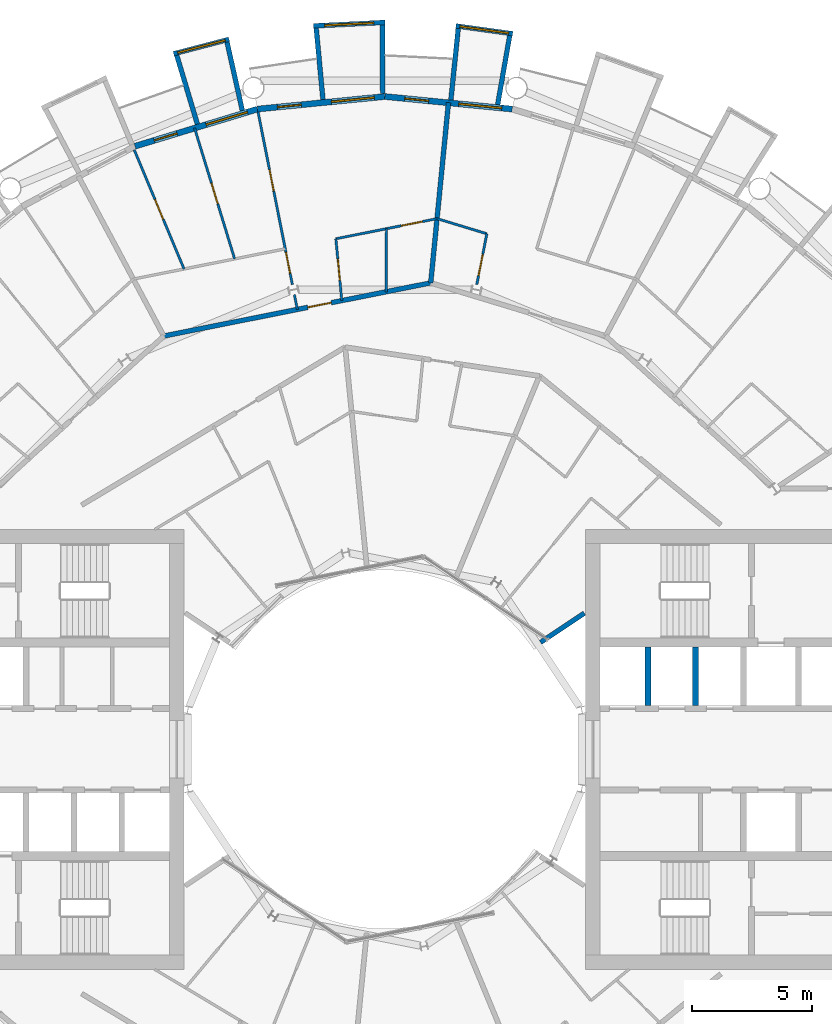
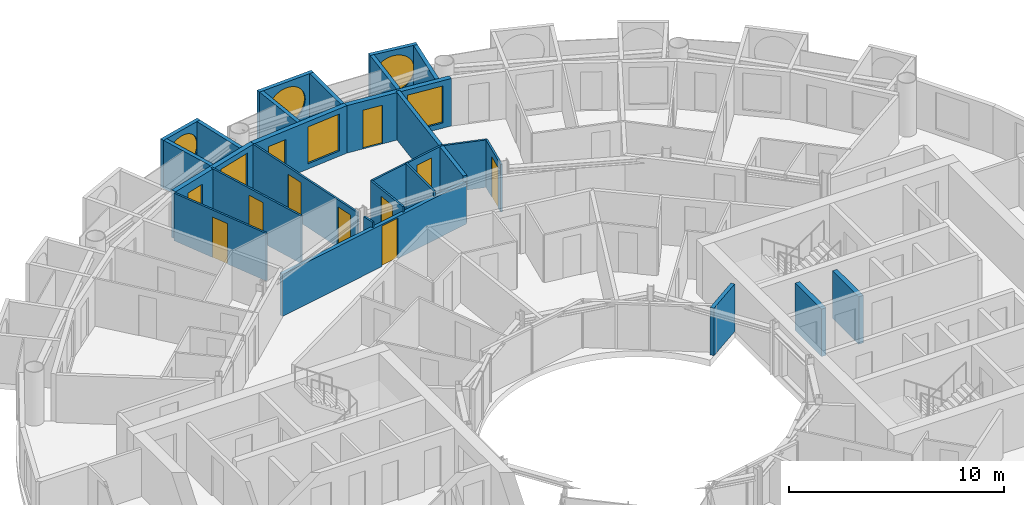
# One storey, part 21 of 28: 26 walls, 11 doors, 6 windows, 17 openings.
"""IFC4 building model written with IfcOpenShell, lengths in metres."""

from ifc_helpers import new_model, si_unit, direction, frame, frame_2d, origin, place, context, subcontext, project, spatial, rectangle, circle, extrude, material, layer, layer_set, type_object, element, fill, save


model = new_model("IFC4")

# Units and contexts
model_context = context("Model", 3, precision=1e-05, world=origin(), true_north=direction((0.0, 1.0)))
body_context = subcontext(model_context, "Body", "Model", "MODEL_VIEW")
ifc_project = project(units=[si_unit("LENGTHUNIT", "METRE"), si_unit("AREAUNIT", "SQUARE_METRE"), si_unit("VOLUMEUNIT", "CUBIC_METRE"), si_unit("PLANEANGLEUNIT", "RADIAN"), si_unit("MASSUNIT", "GRAM", prefix="KILO")], contexts=[model_context])

# Site, building, storey
site_placement = place(None, origin())
site = spatial("IfcSite", under=ifc_project, at=site_placement, CompositionType="ELEMENT")
building_placement = place(site_placement, origin())
building = spatial("IfcBuilding", under=site, at=building_placement, Name="Maasbend Ring Residences", CompositionType="ELEMENT")
storey_placement = place(building_placement, frame((0.0, 0.0, 129.949951171875)))
storey = spatial("IfcBuildingStorey", under=building, at=storey_placement, Name="L37", CompositionType="ELEMENT", Elevation=129.949951171875)

# Wall, opening, door
ifc_material_1 = material(Name="Concrete C30/37", Category="concrete")
ifc_layer_1 = layer(ifc_material_1, 0.199951171875)
ifc_layer_set_1 = layer_set([ifc_layer_1], Name="Concrete C30/37")
wall_type_1 = type_object("IfcWallType", Name="CORRIDOR WALL 200 CONCRETE", PredefinedType="PARTITIONING", material=ifc_layer_set_1)
wall_1_placement = place(storey_placement, frame((-9.239013671875, 17.285888671875, 0.0), z_axis=(0.0, 0.0, 1.0), x_axis=(0.98077905287, 0.195121627328, 0.0)))
wall_1 = element("IfcWall", 1, at=wall_1_placement, inside=storey, type_object=wall_type_1, Name="U-L37-w109", PredefinedType="PARTITIONING", context=body_context, shape_type="SweptSolid", body=[
    extrude(rectangle(XDim=11.378662109375, YDim=0.199951171875, at=frame_2d((5.689453125, 0.0))), origin(), (0.0, 0.0, 1.0), 2.39013671875),
])
opening_1_placement = place(wall_1_placement, frame((6.137939453125, 0.0, 0.0)))
opening_1 = element("IfcOpeningElement", 2, at=opening_1_placement, cuts=wall_1, Name="Opening D-3711", PredefinedType="OPENING", context=body_context, shape_type="SweptSolid", body=[
    extrude(rectangle(XDim=1.0, YDim=2.300048828125, at=frame_2d((0.5, 1.14990234375))), frame((0.0, 0.10986328125, 0.0), z_axis=(0.0, -1.0, 0.0), x_axis=(1.0, 0.0, 0.0)), (0.0, 0.0, 1.0), 0.219970703125),
])
ifc_material_2 = material(Name="Timber, fire-rated, painted", Category="wood")
door_type_1 = type_object("IfcDoorType", Name="FLAT ENTRANCE DOOR 1000 X 2300 FIRE-RATED", OperationType="NOTDEFINED", PredefinedType="DOOR", material=ifc_material_2)
door_1_placement = place(opening_1_placement, origin())
door_1 = element("IfcDoor", 3, at=door_1_placement, inside=storey, type_object=door_type_1, Name="D-3711", OperationType="SINGLE_SWING_RIGHT", OverallHeight=2.300048828125, OverallWidth=1.0, PredefinedType="DOOR", context=body_context, shape_type="SweptSolid", body=[
    extrude(rectangle(XDim=1.0, YDim=2.300048828125, at=frame_2d((0.5, 1.14990234375))), frame((0.0, 0.02490234375, 0.0), z_axis=(0.0, -1.0, 0.0), x_axis=(1.0, 0.0, 0.0)), (0.0, 0.0, 1.0), 0.050048828125),
])
fill(opening_1, door_1)

# Wall, opening, window
ifc_material_3 = material(Name="Pale anodised aluminium panel", Category="aluminium")
ifc_layer_2 = layer(ifc_material_3, 0.199951171875)
ifc_layer_set_2 = layer_set([ifc_layer_2], Name="EW-BOX")
wall_type_2 = type_object("IfcWallType", Name="EW-BOX", PredefinedType="SOLIDWALL", material=ifc_layer_set_2)
wall_2_placement = place(storey_placement, frame((5.344970703125, 29.927001953125, -0.030029296875), z_axis=(0.0, 0.0, 1.0), x_axis=(-0.99061207328, 0.136703036805, 0.0)))
wall_2 = element("IfcWall", 4, at=wall_2_placement, inside=storey, type_object=wall_type_2, Name="Box front N09", PredefinedType="SOLIDWALL", context=body_context, shape_type="SweptSolid", body=[
    extrude(rectangle(XDim=2.391357421875, YDim=0.199951171875, at=frame_2d((1.19580078125, 0.0))), origin(), (0.0, 0.0, 1.0), 2.72998046875),
])
opening_2_placement = place(wall_2_placement, frame((0.15576171875, 0.0, 0.330078125)))
opening_2 = element("IfcOpeningElement", 5, at=opening_2_placement, cuts=wall_2, Name="Opening W-RD", PredefinedType="OPENING", context=body_context, shape_type="SweptSolid", body=[
    extrude(circle(Radius=1.0400390625, at=frame_2d((1.0400390625, 1.0400390625))), frame((0.0, 0.10986328125, 0.0), z_axis=(0.0, -1.0, 0.0), x_axis=(1.0, 0.0, 0.0)), (0.0, 0.0, 1.0), 0.219970703125),
])
ifc_material_4 = material(Name="Aluminium and clear glass", Category="aluminium")
window_type_1 = type_object("IfcWindowType", Name="W-RD", PartitioningType="SINGLE_PANEL", PredefinedType="WINDOW", material=ifc_material_4)
window_1_placement = place(opening_2_placement, origin())
window_1 = element("IfcWindow", 6, at=window_1_placement, inside=storey, type_object=window_type_1, Name="Round window N09", OverallHeight=2.080078125, OverallWidth=2.080078125, PartitioningType="SINGLE_PANEL", PredefinedType="WINDOW", context=body_context, shape_type="SweptSolid", body=[
    extrude(circle(Radius=1.0400390625, at=frame_2d((1.0400390625, 1.0400390625))), frame((0.0, 0.030029296875, 0.0), z_axis=(0.0, -1.0, 0.0), x_axis=(1.0, 0.0, 0.0)), (0.0, 0.0, 1.0), 0.06005859375),
])
fill(opening_2, window_1)

# Walls
wall_3_placement = place(storey_placement, frame((4.719970703125, 26.9609375, -0.030029296875), z_axis=(0.0, 0.0, 1.0), x_axis=(0.172463232037, 0.98501595601, 0.0)))
element("IfcWall", 7, at=wall_3_placement, inside=storey, type_object=wall_type_2, Name="Box side wall N09 left", PredefinedType="SOLIDWALL", context=body_context, shape_type="SweptSolid", body=[
    extrude(rectangle(XDim=2.928955078125, YDim=0.199951171875, at=frame_2d((1.46435546875, 0.0))), origin(), (0.0, 0.0, 1.0), 2.72998046875),
])
wall_4_placement = place(storey_placement, frame((2.763916015625, 27.153076171875, -0.030029296875), z_axis=(0.0, 0.0, 1.0), x_axis=(0.101505487237, 0.994834979311, 0.0)))
element("IfcWall", 8, at=wall_4_placement, inside=storey, type_object=wall_type_2, Name="Box side wall N09 right", PredefinedType="SOLIDWALL", context=body_context, shape_type="SweptSolid", body=[
    extrude(rectangle(XDim=3.006591796875, YDim=0.199951171875, at=frame_2d((1.50341796875, 0.0))), origin(), (0.0, 0.0, 1.0), 2.72998046875),
])

# Wall, opening, window
wall_5_placement = place(storey_placement, frame((0.0048828125, 30.39990234375, -0.030029296875), z_axis=(0.0, 0.0, 1.0), x_axis=(-0.998794083011, -0.049095618353, 0.0)))
wall_5 = element("IfcWall", 9, at=wall_5_placement, inside=storey, type_object=wall_type_2, Name="Box front N11", PredefinedType="SOLIDWALL", context=body_context, shape_type="SweptSolid", body=[
    extrude(rectangle(XDim=2.99365234375, YDim=0.199951171875, at=frame_2d((1.496826171875, 0.0))), origin(), (0.0, 0.0, 1.0), 2.72998046875),
])
opening_3_placement = place(wall_5_placement, frame((0.45654296875, 0.0, 0.330078125)))
opening_3 = element("IfcOpeningElement", 10, at=opening_3_placement, cuts=wall_5, Name="Opening W-RD", PredefinedType="OPENING", context=body_context, shape_type="SweptSolid", body=[
    extrude(circle(Radius=1.0400390625, at=frame_2d((1.0400390625, 1.0400390625))), frame((0.0, 0.10986328125, 0.0), z_axis=(0.0, -1.0, 0.0), x_axis=(1.0, 0.0, 0.0)), (0.0, 0.0, 1.0), 0.219970703125),
])
window_2_placement = place(opening_3_placement, origin())
window_2 = element("IfcWindow", 11, at=window_2_placement, inside=storey, type_object=window_type_1, Name="Round window N11", OverallHeight=2.080078125, OverallWidth=2.080078125, PartitioningType="SINGLE_PANEL", PredefinedType="WINDOW", context=body_context, shape_type="SweptSolid", body=[
    extrude(circle(Radius=1.0400390625, at=frame_2d((1.0400390625, 1.0400390625))), frame((0.0, 0.030029296875, 0.0), z_axis=(0.0, -1.0, 0.0), x_axis=(1.0, 0.0, 0.0)), (0.0, 0.0, 1.0), 0.06005859375),
])
fill(opening_3, window_2)

# Walls
wall_6_placement = place(storey_placement, frame((-0.090087890625, 27.4169921875, -0.030029296875), z_axis=(0.0, 0.0, 1.0), x_axis=(-0.00347308367, 0.999993968827, 0.0)))
element("IfcWall", 12, at=wall_6_placement, inside=storey, type_object=wall_type_2, Name="Box side wall N11 left", PredefinedType="SOLIDWALL", context=body_context, shape_type="SweptSolid", body=[
    extrude(rectangle(XDim=2.882080078125, YDim=0.199951171875, at=frame_2d((1.44091796875, 0.0))), origin(), (0.0, 0.0, 1.0), 2.72998046875),
])
wall_7_placement = place(storey_placement, frame((-2.5859375, 27.1708984375, -0.030029296875), z_axis=(0.0, 0.0, 1.0), x_axis=(-0.094548432284, 0.995520262954, 0.0)))
element("IfcWall", 13, at=wall_7_placement, inside=storey, type_object=wall_type_2, Name="Box side wall N11 right", PredefinedType="SOLIDWALL", context=body_context, shape_type="SweptSolid", body=[
    extrude(rectangle(XDim=3.005615234375, YDim=0.199951171875, at=frame_2d((1.5029296875, 0.0))), origin(), (0.0, 0.0, 1.0), 2.72998046875),
])

# Wall, opening, window
wall_8_placement = place(storey_placement, frame((-6.514892578125, 29.694091796875, -0.030029296875), z_axis=(0.0, 0.0, 1.0), x_axis=(-0.967554339146, -0.252663018266, 0.0)))
wall_8 = element("IfcWall", 14, at=wall_8_placement, inside=storey, type_object=wall_type_2, Name="Box front N13", PredefinedType="SOLIDWALL", context=body_context, shape_type="SweptSolid", body=[
    extrude(rectangle(XDim=2.390625, YDim=0.199951171875, at=frame_2d((1.1953125, 0.0))), origin(), (0.0, 0.0, 1.0), 2.72998046875),
])
opening_4_placement = place(wall_8_placement, frame((0.15576171875, 0.0, 0.330078125)))
opening_4 = element("IfcOpeningElement", 15, at=opening_4_placement, cuts=wall_8, Name="Opening W-RD", PredefinedType="OPENING", context=body_context, shape_type="SweptSolid", body=[
    extrude(circle(Radius=1.0400390625, at=frame_2d((1.0400390625, 1.0400390625))), frame((0.0, 0.10986328125, 0.0), z_axis=(0.0, -1.0, 0.0), x_axis=(1.0, 0.0, 0.0)), (0.0, 0.0, 1.0), 0.219970703125),
])
window_3_placement = place(opening_4_placement, origin())
window_3 = element("IfcWindow", 16, at=window_3_placement, inside=storey, type_object=window_type_1, Name="Round window N13", OverallHeight=2.080078125, OverallWidth=2.080078125, PartitioningType="SINGLE_PANEL", PredefinedType="WINDOW", context=body_context, shape_type="SweptSolid", body=[
    extrude(circle(Radius=1.0400390625, at=frame_2d((1.0400390625, 1.0400390625))), frame((0.0, 0.030029296875, 0.0), z_axis=(0.0, -1.0, 0.0), x_axis=(1.0, 0.0, 0.0)), (0.0, 0.0, 1.0), 0.06005859375),
])
fill(opening_4, window_3)

# Walls
wall_9_placement = place(storey_placement, frame((-5.95703125, 26.715087890625, -0.030029296875), z_axis=(0.0, 0.0, 1.0), x_axis=(-0.217857287091, 0.975980636315, 0.0)))
element("IfcWall", 17, at=wall_9_placement, inside=storey, type_object=wall_type_2, Name="Box side wall N13 left", PredefinedType="SOLIDWALL", context=body_context, shape_type="SweptSolid", body=[
    extrude(rectangle(XDim=2.92822265625, YDim=0.199951171875, at=frame_2d((1.464111328125, 0.0))), origin(), (0.0, 0.0, 1.0), 2.72998046875),
])
wall_10_placement = place(storey_placement, frame((-7.8369140625, 26.14404296875, -0.030029296875), z_axis=(0.0, 0.0, 1.0), x_axis=(-0.287064767992, 0.957911174889, 0.0)))
element("IfcWall", 18, at=wall_10_placement, inside=storey, type_object=wall_type_2, Name="Box side wall N13 right", PredefinedType="SOLIDWALL", context=body_context, shape_type="SweptSolid", body=[
    extrude(rectangle(XDim=3.00634765625, YDim=0.199951171875, at=frame_2d((1.503173828125, 0.0))), origin(), (0.0, 0.0, 1.0), 2.72998046875),
])

# Wall, openings, door, window
ifc_material_5 = material(Name="Aluminium clad insulated panel", Category="aluminium")
ifc_layer_3 = layer(ifc_material_5, 0.25)
ifc_layer_set_3 = layer_set([ifc_layer_3], Name="EW-GL")
wall_type_3 = type_object("IfcWallType", Name="EW-GL", PredefinedType="SOLIDWALL", material=ifc_layer_set_3)
wall_11_placement = place(storey_placement, frame((5.325927734375, 26.77490234375, 0.0), z_axis=(0.0, 0.0, 1.0), x_axis=(-0.995173996315, 0.098126026407, 0.0)))
wall_11 = element("IfcWall", 19, at=wall_11_placement, inside=storey, type_object=wall_type_3, Name="External wall N05", PredefinedType="SOLIDWALL", context=body_context, shape_type="SweptSolid", body=[
    extrude(rectangle(XDim=5.351806640625, YDim=0.25, at=frame_2d((2.67578125, 0.0))), origin(), (0.0, 0.0, 1.0), 2.699951171875),
])
opening_5_placement = place(wall_11_placement, frame((0.441162109375, 0.0, 0.300048828125)))
opening_5 = element("IfcOpeningElement", 20, at=opening_5_placement, cuts=wall_11, Name="Opening W-BX", PredefinedType="OPENING", context=body_context, shape_type="SweptSolid", body=[
    extrude(rectangle(XDim=1.800048828125, YDim=2.10009765625, at=frame_2d((0.89990234375, 1.050048828125))), frame((0.0, 0.135009765625, 0.0), z_axis=(0.0, -1.0, 0.0), x_axis=(1.0, 0.0, 0.0)), (0.0, 0.0, 1.0), 0.27001953125),
])
opening_6_placement = place(wall_11_placement, frame((3.510498046875, 0.0, 0.0)))
opening_6 = element("IfcOpeningElement", 21, at=opening_6_placement, cuts=wall_11, Name="Opening D-LG", PredefinedType="OPENING", context=body_context, shape_type="SweptSolid", body=[
    extrude(rectangle(XDim=1.0, YDim=2.199951171875, at=frame_2d((0.5, 1.10009765625))), frame((0.0, 0.135009765625, 0.0), z_axis=(0.0, -1.0, 0.0), x_axis=(1.0, 0.0, 0.0)), (0.0, 0.0, 1.0), 0.27001953125),
])
ifc_material_6 = material(Name="Aluminium and clear glass", Category="aluminium")
door_type_2 = type_object("IfcDoorType", Name="D-LG", OperationType="SINGLE_SWING_LEFT", PredefinedType="DOOR", material=ifc_material_6)
door_2_placement = place(opening_6_placement, origin())
door_2 = element("IfcDoor", 22, at=door_2_placement, inside=storey, type_object=door_type_2, Name="Loggia door N10", OperationType="SINGLE_SWING_LEFT", OverallHeight=2.199951171875, OverallWidth=1.0, PredefinedType="DOOR", context=body_context, shape_type="SweptSolid", body=[
    extrude(rectangle(XDim=1.0, YDim=2.199951171875, at=frame_2d((0.5, 1.10009765625))), frame((0.0, 0.02490234375, 0.0), z_axis=(0.0, -1.0, 0.0), x_axis=(1.0, 0.0, 0.0)), (0.0, 0.0, 1.0), 0.050048828125),
])
fill(opening_6, door_2)
ifc_material_7 = material(Name="Aluminium and clear glass", Category="aluminium")
window_type_2 = type_object("IfcWindowType", Name="W-BX", PartitioningType="DOUBLE_PANEL_VERTICAL", PredefinedType="WINDOW", material=ifc_material_7)
window_4_placement = place(opening_5_placement, origin())
window_4 = element("IfcWindow", 23, at=window_4_placement, inside=storey, type_object=window_type_2, Name="Window N09 room to box", OverallHeight=2.10009765625, OverallWidth=1.800048828125, PartitioningType="SINGLE_PANEL", PredefinedType="WINDOW", context=body_context, shape_type="SweptSolid", body=[
    extrude(rectangle(XDim=1.800048828125, YDim=2.10009765625, at=frame_2d((0.89990234375, 1.050048828125))), frame((0.0, 0.030029296875, 0.0), z_axis=(0.0, -1.0, 0.0), x_axis=(1.0, 0.0, 0.0)), (0.0, 0.0, 1.0), 0.06005859375),
])
fill(opening_5, window_4)

wall_12_placement = place(storey_placement, frame((0.0, 27.300048828125, 0.0), z_axis=(0.0, 0.0, 1.0), x_axis=(-0.995173996315, -0.098126026407, 0.0)))
wall_12 = element("IfcWall", 24, at=wall_12_placement, inside=storey, type_object=wall_type_3, Name="External wall N06", PredefinedType="SOLIDWALL", context=body_context, shape_type="SweptSolid", body=[
    extrude(rectangle(XDim=5.351806640625, YDim=0.25, at=frame_2d((2.67578125, 0.0))), origin(), (0.0, 0.0, 1.0), 2.699951171875),
])
opening_7_placement = place(wall_12_placement, frame((0.441162109375, 0.0, 0.300048828125)))
opening_7 = element("IfcOpeningElement", 25, at=opening_7_placement, cuts=wall_12, Name="Opening W-BX", PredefinedType="OPENING", context=body_context, shape_type="SweptSolid", body=[
    extrude(rectangle(XDim=1.800048828125, YDim=2.10009765625, at=frame_2d((0.89990234375, 1.050048828125))), frame((0.0, 0.135009765625, 0.0), z_axis=(0.0, -1.0, 0.0), x_axis=(1.0, 0.0, 0.0)), (0.0, 0.0, 1.0), 0.27001953125),
])
opening_8_placement = place(wall_12_placement, frame((3.510498046875, 0.0, 0.0)))
opening_8 = element("IfcOpeningElement", 26, at=opening_8_placement, cuts=wall_12, Name="Opening D-LG", PredefinedType="OPENING", context=body_context, shape_type="SweptSolid", body=[
    extrude(rectangle(XDim=1.0, YDim=2.199951171875, at=frame_2d((0.5, 1.10009765625))), frame((0.0, 0.135009765625, 0.0), z_axis=(0.0, -1.0, 0.0), x_axis=(1.0, 0.0, 0.0)), (0.0, 0.0, 1.0), 0.27001953125),
])
door_3_placement = place(opening_8_placement, origin())
door_3 = element("IfcDoor", 27, at=door_3_placement, inside=storey, type_object=door_type_2, Name="Loggia door N12", OperationType="SINGLE_SWING_LEFT", OverallHeight=2.199951171875, OverallWidth=1.0, PredefinedType="DOOR", context=body_context, shape_type="SweptSolid", body=[
    extrude(rectangle(XDim=1.0, YDim=2.199951171875, at=frame_2d((0.5, 1.10009765625))), frame((0.0, 0.02490234375, 0.0), z_axis=(0.0, -1.0, 0.0), x_axis=(1.0, 0.0, 0.0)), (0.0, 0.0, 1.0), 0.050048828125),
])
fill(opening_8, door_3)
window_5_placement = place(opening_7_placement, origin())
window_5 = element("IfcWindow", 28, at=window_5_placement, inside=storey, type_object=window_type_2, Name="Window N11 room to box", OverallHeight=2.10009765625, OverallWidth=1.800048828125, PartitioningType="SINGLE_PANEL", PredefinedType="WINDOW", context=body_context, shape_type="SweptSolid", body=[
    extrude(rectangle(XDim=1.800048828125, YDim=2.10009765625, at=frame_2d((0.89990234375, 1.050048828125))), frame((0.0, 0.030029296875, 0.0), z_axis=(0.0, -1.0, 0.0), x_axis=(1.0, 0.0, 0.0)), (0.0, 0.0, 1.0), 0.06005859375),
])
fill(opening_7, window_5)

wall_13_placement = place(storey_placement, frame((-5.325927734375, 26.77490234375, 0.0), z_axis=(0.0, 0.0, 1.0), x_axis=(-0.956965678721, -0.290201119486, 0.0)))
wall_13 = element("IfcWall", 29, at=wall_13_placement, inside=storey, type_object=wall_type_3, Name="External wall N07", PredefinedType="SOLIDWALL", context=body_context, shape_type="SweptSolid", body=[
    extrude(rectangle(XDim=5.351318359375, YDim=0.25, at=frame_2d((2.67578125, 0.0))), origin(), (0.0, 0.0, 1.0), 2.699951171875),
])
opening_9_placement = place(wall_13_placement, frame((0.441162109375, 0.0, 0.300048828125)))
opening_9 = element("IfcOpeningElement", 30, at=opening_9_placement, cuts=wall_13, Name="Opening W-BX", PredefinedType="OPENING", context=body_context, shape_type="SweptSolid", body=[
    extrude(rectangle(XDim=1.800048828125, YDim=2.10009765625, at=frame_2d((0.89990234375, 1.050048828125))), frame((0.0, 0.135009765625, 0.0), z_axis=(0.0, -1.0, 0.0), x_axis=(1.0, 0.0, 0.0)), (0.0, 0.0, 1.0), 0.27001953125),
])
opening_10_placement = place(wall_13_placement, frame((3.510498046875, 0.0, 0.0)))
opening_10 = element("IfcOpeningElement", 31, at=opening_10_placement, cuts=wall_13, Name="Opening D-LG", PredefinedType="OPENING", context=body_context, shape_type="SweptSolid", body=[
    extrude(rectangle(XDim=1.0, YDim=2.199951171875, at=frame_2d((0.5, 1.10009765625))), frame((0.0, 0.135009765625, 0.0), z_axis=(0.0, -1.0, 0.0), x_axis=(1.0, 0.0, 0.0)), (0.0, 0.0, 1.0), 0.27001953125),
])
door_4_placement = place(opening_10_placement, origin())
door_4 = element("IfcDoor", 32, at=door_4_placement, inside=storey, type_object=door_type_2, Name="Loggia door N14", OperationType="SINGLE_SWING_LEFT", OverallHeight=2.199951171875, OverallWidth=1.0, PredefinedType="DOOR", context=body_context, shape_type="SweptSolid", body=[
    extrude(rectangle(XDim=1.0, YDim=2.199951171875, at=frame_2d((0.5, 1.10009765625))), frame((0.0, 0.02490234375, 0.0), z_axis=(0.0, -1.0, 0.0), x_axis=(1.0, 0.0, 0.0)), (0.0, 0.0, 1.0), 0.050048828125),
])
fill(opening_10, door_4)
window_6_placement = place(opening_9_placement, origin())
window_6 = element("IfcWindow", 33, at=window_6_placement, inside=storey, type_object=window_type_2, Name="Window N13 room to box", OverallHeight=2.10009765625, OverallWidth=1.800048828125, PartitioningType="SINGLE_PANEL", PredefinedType="WINDOW", context=body_context, shape_type="SweptSolid", body=[
    extrude(rectangle(XDim=1.800048828125, YDim=2.10009765625, at=frame_2d((0.89990234375, 1.050048828125))), frame((0.0, 0.030029296875, 0.0), z_axis=(0.0, -1.0, 0.0), x_axis=(1.0, 0.0, 0.0)), (0.0, 0.0, 1.0), 0.06005859375),
])
fill(opening_9, window_6)

# Wall, opening, door
ifc_material_8 = material(Name="Gypsum board on steel studs", Category="steel")
ifc_layer_4 = layer(ifc_material_8, 0.10009765625)
ifc_layer_set_4 = layer_set([ifc_layer_4], Name="PARTITION 100 GYPSUM")
wall_type_4 = type_object("IfcWallType", Name="PARTITION 100 GYPSUM", PredefinedType="PARTITIONING", material=ifc_layer_set_4)
wall_14_placement = place(storey_placement, frame((-10.47900390625, 25.072998046875, 0.0), z_axis=(0.0, 0.0, 1.0), x_axis=(0.385542476694, -0.922690088093, 0.0)))
wall_14 = element("IfcWall", 34, at=wall_14_placement, inside=storey, type_object=wall_type_4, Name="U-L37-w041", PredefinedType="PARTITIONING", context=body_context, shape_type="SweptSolid", body=[
    extrude(rectangle(XDim=5.40283203125, YDim=0.10009765625, at=frame_2d((2.701416015625, 0.0))), origin(), (0.0, 0.0, 1.0), 2.699951171875),
])
opening_11_placement = place(wall_14_placement, frame((2.2509765625, 0.0, 0.0)))
opening_11 = element("IfcOpeningElement", 35, at=opening_11_placement, cuts=wall_14, Name="Opening D-3717", PredefinedType="OPENING", context=body_context, shape_type="SweptSolid", body=[
    extrude(rectangle(XDim=0.89990234375, YDim=2.300048828125, at=frame_2d((0.449951171875, 1.14990234375))), frame((0.0, 0.06005859375, 0.0), z_axis=(0.0, -1.0, 0.0), x_axis=(1.0, 0.0, 0.0)), (0.0, 0.0, 1.0), 0.1201171875),
])
ifc_material_9 = material(Name="Timber, painted", Category="wood")
door_type_3 = type_object("IfcDoorType", Name="INTERNAL DOOR 900 X 2300", OperationType="NOTDEFINED", PredefinedType="DOOR", material=ifc_material_9)
door_5_placement = place(opening_11_placement, origin())
door_5 = element("IfcDoor", 36, at=door_5_placement, inside=storey, type_object=door_type_3, Name="D-3717", OperationType="SINGLE_SWING_RIGHT", OverallHeight=2.300048828125, OverallWidth=0.89990234375, PredefinedType="DOOR", context=body_context, shape_type="SweptSolid", body=[
    extrude(rectangle(XDim=0.89990234375, YDim=2.300048828125, at=frame_2d((0.449951171875, 1.14990234375))), frame((0.0, 0.02490234375, 0.0), z_axis=(0.0, -1.0, 0.0), x_axis=(1.0, 0.0, 0.0)), (0.0, 0.0, 1.0), 0.050048828125),
])
fill(opening_11, door_5)

wall_15_placement = place(storey_placement, frame((-7.9560546875, 25.98388671875, 0.0), z_axis=(0.0, 0.0, 1.0), x_axis=(0.292722228482, -0.956197519842, 0.0)))
wall_15 = element("IfcWall", 37, at=wall_15_placement, inside=storey, type_object=wall_type_4, Name="U-L37-w046", PredefinedType="PARTITIONING", context=body_context, shape_type="SweptSolid", body=[
    extrude(rectangle(XDim=5.7255859375, YDim=0.10009765625, at=frame_2d((2.86279296875, 0.0))), origin(), (0.0, 0.0, 1.0), 2.699951171875),
])
opening_12_placement = place(wall_15_placement, frame((2.4130859375, 0.0, 0.0)))
opening_12 = element("IfcOpeningElement", 38, at=opening_12_placement, cuts=wall_15, Name="Opening D-3716", PredefinedType="OPENING", context=body_context, shape_type="SweptSolid", body=[
    extrude(rectangle(XDim=0.89990234375, YDim=2.300048828125, at=frame_2d((0.449951171875, 1.14990234375))), frame((0.0, 0.06005859375, 0.0), z_axis=(0.0, -1.0, 0.0), x_axis=(1.0, 0.0, 0.0)), (0.0, 0.0, 1.0), 0.1201171875),
])
door_6_placement = place(opening_12_placement, origin())
door_6 = element("IfcDoor", 39, at=door_6_placement, inside=storey, type_object=door_type_3, Name="D-3716", OperationType="SINGLE_SWING_RIGHT", OverallHeight=2.300048828125, OverallWidth=0.89990234375, PredefinedType="DOOR", context=body_context, shape_type="SweptSolid", body=[
    extrude(rectangle(XDim=0.89990234375, YDim=2.300048828125, at=frame_2d((0.449951171875, 1.14990234375))), frame((0.0, 0.02490234375, 0.0), z_axis=(0.0, -1.0, 0.0), x_axis=(1.0, 0.0, 0.0)), (0.0, 0.0, 1.0), 0.050048828125),
])
fill(opening_12, door_6)

# Wall, openings, doors
wall_16_placement = place(storey_placement, frame((-5.301025390625, 26.653076171875, 0.0), z_axis=(0.0, 0.0, 1.0), x_axis=(0.194999559373, -0.98080332985, 0.0)))
wall_16 = element("IfcWall", 40, at=wall_16_placement, inside=storey, type_object=wall_type_4, Name="U-L37-w051", PredefinedType="PARTITIONING", context=body_context, shape_type="SweptSolid", body=[
    extrude(rectangle(XDim=7.359375, YDim=0.10009765625, at=frame_2d((3.6796875, 0.0))), origin(), (0.0, 0.0, 1.0), 2.699951171875),
])
opening_13_placement = place(wall_16_placement, frame((5.985107421875, 0.0, 0.0)))
opening_13 = element("IfcOpeningElement", 41, at=opening_13_placement, cuts=wall_16, Name="Opening D-3714", PredefinedType="OPENING", context=body_context, shape_type="SweptSolid", body=[
    extrude(rectangle(XDim=0.89990234375, YDim=2.300048828125, at=frame_2d((0.449951171875, 1.14990234375))), frame((0.0, 0.06005859375, 0.0), z_axis=(0.0, -1.0, 0.0), x_axis=(1.0, 0.0, 0.0)), (0.0, 0.0, 1.0), 0.1201171875),
])
opening_14_placement = place(wall_16_placement, frame((2.467041015625, 0.0, 0.0)))
opening_14 = element("IfcOpeningElement", 42, at=opening_14_placement, cuts=wall_16, Name="Opening D-3715", PredefinedType="OPENING", context=body_context, shape_type="SweptSolid", body=[
    extrude(rectangle(XDim=0.89990234375, YDim=2.300048828125, at=frame_2d((0.449951171875, 1.14990234375))), frame((0.0, 0.06005859375, 0.0), z_axis=(0.0, -1.0, 0.0), x_axis=(1.0, 0.0, 0.0)), (0.0, 0.0, 1.0), 0.1201171875),
])
door_7_placement = place(opening_13_placement, origin())
door_7 = element("IfcDoor", 43, at=door_7_placement, inside=storey, type_object=door_type_3, Name="D-3714", OperationType="SINGLE_SWING_RIGHT", OverallHeight=2.300048828125, OverallWidth=0.89990234375, PredefinedType="DOOR", context=body_context, shape_type="SweptSolid", body=[
    extrude(rectangle(XDim=0.89990234375, YDim=2.300048828125, at=frame_2d((0.449951171875, 1.14990234375))), frame((0.0, 0.02490234375, 0.0), z_axis=(0.0, -1.0, 0.0), x_axis=(1.0, 0.0, 0.0)), (0.0, 0.0, 1.0), 0.050048828125),
])
fill(opening_13, door_7)
door_8_placement = place(opening_14_placement, origin())
door_8 = element("IfcDoor", 44, at=door_8_placement, inside=storey, type_object=door_type_3, Name="D-3715", OperationType="SINGLE_SWING_LEFT", OverallHeight=2.300048828125, OverallWidth=0.89990234375, PredefinedType="DOOR", context=body_context, shape_type="SweptSolid", body=[
    extrude(rectangle(XDim=0.89990234375, YDim=2.300048828125, at=frame_2d((0.449951171875, 1.14990234375))), frame((0.0, 0.02490234375, 0.0), z_axis=(0.0, -1.0, 0.0), x_axis=(1.0, 0.0, 0.0)), (0.0, 0.0, 1.0), 0.050048828125),
])
fill(opening_14, door_8)

# Wall
wall_17_placement = place(storey_placement, frame((-3.781005859375, 19.011962890625, 0.0), z_axis=(0.0, 0.0, 1.0), x_axis=(0.194396175087, -0.980923099489, 0.0)))
element("IfcWall", 45, at=wall_17_placement, inside=storey, type_object=wall_type_4, Name="U-L37-w057", PredefinedType="PARTITIONING", context=body_context, shape_type="SweptSolid", body=[
    extrude(rectangle(XDim=0.6279296875, YDim=0.10009765625, at=frame_2d((0.31396484375, 0.0))), origin(), (0.0, 0.0, 1.0), 2.699951171875),
])

# Wall, opening, door
wall_18_placement = place(storey_placement, frame((-2.047119140625, 21.35107421875, 0.0), z_axis=(0.0, 0.0, 1.0), x_axis=(0.095518932305, -0.995427613426, 0.0)))
wall_18 = element("IfcWall", 46, at=wall_18_placement, inside=storey, type_object=wall_type_4, Name="U-L37-w059", PredefinedType="PARTITIONING", context=body_context, shape_type="SweptSolid", body=[
    extrude(rectangle(XDim=2.596923828125, YDim=0.10009765625, at=frame_2d((1.29833984375, 0.0))), origin(), (0.0, 0.0, 1.0), 2.699951171875),
])
opening_15_placement = place(wall_18_placement, frame((0.847900390625, 0.0, 0.0)))
opening_15 = element("IfcOpeningElement", 47, at=opening_15_placement, cuts=wall_18, Name="Opening D-3713", PredefinedType="OPENING", context=body_context, shape_type="SweptSolid", body=[
    extrude(rectangle(XDim=0.89990234375, YDim=2.300048828125, at=frame_2d((0.449951171875, 1.14990234375))), frame((0.0, 0.06005859375, 0.0), z_axis=(0.0, -1.0, 0.0), x_axis=(1.0, 0.0, 0.0)), (0.0, 0.0, 1.0), 0.1201171875),
])
door_9_placement = place(opening_15_placement, origin())
door_9 = element("IfcDoor", 48, at=door_9_placement, inside=storey, type_object=door_type_3, Name="D-3713", OperationType="SINGLE_SWING_RIGHT", OverallHeight=2.300048828125, OverallWidth=0.89990234375, PredefinedType="DOOR", context=body_context, shape_type="SweptSolid", body=[
    extrude(rectangle(XDim=0.89990234375, YDim=2.300048828125, at=frame_2d((0.449951171875, 1.14990234375))), frame((0.0, 0.02490234375, 0.0), z_axis=(0.0, -1.0, 0.0), x_axis=(1.0, 0.0, 0.0)), (0.0, 0.0, 1.0), 0.050048828125),
])
fill(opening_15, door_9)

# Wall
wall_19_placement = place(storey_placement, frame((0.06103515625, 19.135986328125, 0.0), z_axis=(0.0, 0.0, 1.0), x_axis=(0.003056390281, 0.999995329228, 0.0)))
element("IfcWall", 49, at=wall_19_placement, inside=storey, type_object=wall_type_4, Name="U-L37-w063", PredefinedType="PARTITIONING", context=body_context, shape_type="SweptSolid", body=[
    extrude(rectangle(XDim=2.635986328125, YDim=0.10009765625, at=frame_2d((1.31787109375, 0.0))), origin(), (0.0, 0.0, 1.0), 2.699951171875),
])

# Wall, opening, door
wall_20_placement = place(storey_placement, frame((3.846923828125, 19.43896484375, 0.0), z_axis=(0.0, 0.0, 1.0), x_axis=(0.194227580483, 0.980956495967, 0.0)))
wall_20 = element("IfcWall", 50, at=wall_20_placement, inside=storey, type_object=wall_type_4, Name="U-L37-w073", PredefinedType="PARTITIONING", context=body_context, shape_type="SweptSolid", body=[
    extrude(rectangle(XDim=2.163330078125, YDim=0.10009765625, at=frame_2d((1.08154296875, 0.0))), origin(), (0.0, 0.0, 1.0), 2.699951171875),
])
opening_16_placement = place(wall_20_placement, frame((0.383056640625, 0.0, 0.0)))
opening_16 = element("IfcOpeningElement", 51, at=opening_16_placement, cuts=wall_20, Name="Opening D-3708", PredefinedType="OPENING", context=body_context, shape_type="SweptSolid", body=[
    extrude(rectangle(XDim=0.89990234375, YDim=2.300048828125, at=frame_2d((0.449951171875, 1.14990234375))), frame((0.0, 0.06005859375, 0.0), z_axis=(0.0, -1.0, 0.0), x_axis=(1.0, 0.0, 0.0)), (0.0, 0.0, 1.0), 0.1201171875),
])
door_10_placement = place(opening_16_placement, origin())
door_10 = element("IfcDoor", 52, at=door_10_placement, inside=storey, type_object=door_type_3, Name="D-3708", OperationType="SINGLE_SWING_LEFT", OverallHeight=2.300048828125, OverallWidth=0.89990234375, PredefinedType="DOOR", context=body_context, shape_type="SweptSolid", body=[
    extrude(rectangle(XDim=0.89990234375, YDim=2.300048828125, at=frame_2d((0.449951171875, 1.14990234375))), frame((0.0, 0.02490234375, 0.0), z_axis=(0.0, -1.0, 0.0), x_axis=(1.0, 0.0, 0.0)), (0.0, 0.0, 1.0), 0.050048828125),
])
fill(opening_16, door_10)

wall_21_placement = place(storey_placement, frame((-2.048095703125, 21.35107421875, 0.0), z_axis=(0.0, 0.0, 1.0), x_axis=(0.980784647647, 0.19509350307, 0.0)))
wall_21 = element("IfcWall", 53, at=wall_21_placement, inside=storey, type_object=wall_type_4, Name="U-L37-w118", PredefinedType="PARTITIONING", context=body_context, shape_type="SweptSolid", body=[
    extrude(rectangle(XDim=4.316162109375, YDim=0.10009765625, at=frame_2d((2.158203125, 0.0))), origin(), (0.0, 0.0, 1.0), 2.699951171875),
])
opening_17_placement = place(wall_21_placement, frame((2.7880859375, 0.0, 0.0)))
opening_17 = element("IfcOpeningElement", 54, at=opening_17_placement, cuts=wall_21, Name="Opening D-3712", PredefinedType="OPENING", context=body_context, shape_type="SweptSolid", body=[
    extrude(rectangle(XDim=0.89990234375, YDim=2.300048828125, at=frame_2d((0.449951171875, 1.14990234375))), frame((0.0, 0.06005859375, 0.0), z_axis=(0.0, -1.0, 0.0), x_axis=(1.0, 0.0, 0.0)), (0.0, 0.0, 1.0), 0.1201171875),
])
door_11_placement = place(opening_17_placement, origin())
door_11 = element("IfcDoor", 55, at=door_11_placement, inside=storey, type_object=door_type_3, Name="D-3712", OperationType="SINGLE_SWING_RIGHT", OverallHeight=2.300048828125, OverallWidth=0.89990234375, PredefinedType="DOOR", context=body_context, shape_type="SweptSolid", body=[
    extrude(rectangle(XDim=0.89990234375, YDim=2.300048828125, at=frame_2d((0.449951171875, 1.14990234375))), frame((0.0, 0.02490234375, 0.0), z_axis=(0.0, -1.0, 0.0), x_axis=(1.0, 0.0, 0.0)), (0.0, 0.0, 1.0), 0.050048828125),
])
fill(opening_17, door_11)

# Walls
wall_22_placement = place(storey_placement, frame((2.18603515625, 22.193115234375, 0.0), z_axis=(0.0, 0.0, 1.0), x_axis=(0.956838221976, -0.290621088303, 0.0)))
element("IfcWall", 56, at=wall_22_placement, inside=storey, type_object=wall_type_4, Name="U-L37-w125", PredefinedType="PARTITIONING", context=body_context, shape_type="SweptSolid", body=[
    extrude(rectangle(XDim=2.175048828125, YDim=0.10009765625, at=frame_2d((1.08740234375, 0.0))), origin(), (0.0, 0.0, 1.0), 2.699951171875),
])
ifc_material_10 = material(Name="Concrete C30/37", Category="concrete")
ifc_layer_5 = layer(ifc_material_10, 0.199951171875)
ifc_layer_set_5 = layer_set([ifc_layer_5], Name="Concrete C30/37")
wall_type_5 = type_object("IfcWallType", Name="PARTY WALL 200 CONCRETE", PredefinedType="PARTITIONING", material=ifc_layer_set_5)
wall_23_placement = place(storey_placement, frame((1.919921875, 19.506103515625, 0.0), z_axis=(0.0, 0.0, 1.0), x_axis=(0.097987704654, 0.995187625394, 0.0)))
element("IfcWall", 57, at=wall_23_placement, inside=storey, type_object=wall_type_5, Name="U-L37-w066", PredefinedType="PARTITIONING", context=body_context, shape_type="SweptSolid", body=[
    extrude(rectangle(XDim=7.57421875, YDim=0.199951171875, at=frame_2d((3.787109375, 0.0))), origin(), (0.0, 0.0, 1.0), 2.699951171875),
])
wall_24_placement = place(storey_placement, frame((6.512939453125, 4.471923828125, 0.0), z_axis=(0.0, 0.0, 1.0), x_axis=(0.831333375071, 0.555774072347, 0.0)))
element("IfcWall", 58, at=wall_24_placement, inside=storey, type_object=wall_type_5, Name="U-L37-w097", PredefinedType="PARTITIONING", context=body_context, shape_type="SweptSolid", body=[
    extrude(rectangle(XDim=2.20263671875, YDim=0.199951171875, at=frame_2d((1.101318359375, 0.0))), origin(), (0.0, 0.0, 1.0), 2.699951171875),
])
ifc_material_11 = material(Name="Concrete C30/37", Category="concrete")
ifc_layer_6 = layer(ifc_material_11, 0.25)
ifc_layer_set_6 = layer_set([ifc_layer_6], Name="Concrete C30/37")
wall_type_6 = type_object("IfcWallType", Name="SHAFT WALL 250 EI 120", PredefinedType="SOLIDWALL", material=ifc_layer_set_6)
for number, where, z_axis, x_axis, name in (
    (59, (11.0, 1.824951171875, 0.0), (0.0, 0.0, 1.0), (0.0, 1.0, 0.0), "L37 core E wall D110N"),
    (60, (13.0, 1.824951171875, 0.0), (0.0, 0.0, 1.0), (0.0, 1.0, 0.0), "L37 core E wall D130N"),
):
    element("IfcWall", number, at=place(storey_placement, frame(where, z_axis=z_axis, x_axis=x_axis)), inside=storey, type_object=wall_type_6, Name=name, PredefinedType="SOLIDWALL", context=body_context, shape_type="SweptSolid", body=[
        extrude(rectangle(XDim=2.449951171875, YDim=0.25, at=frame_2d((1.22509765625, 0.0))), origin(), (0.0, 0.0, 1.0), 2.699951171875),
    ])

save(model, "model.ifc")
